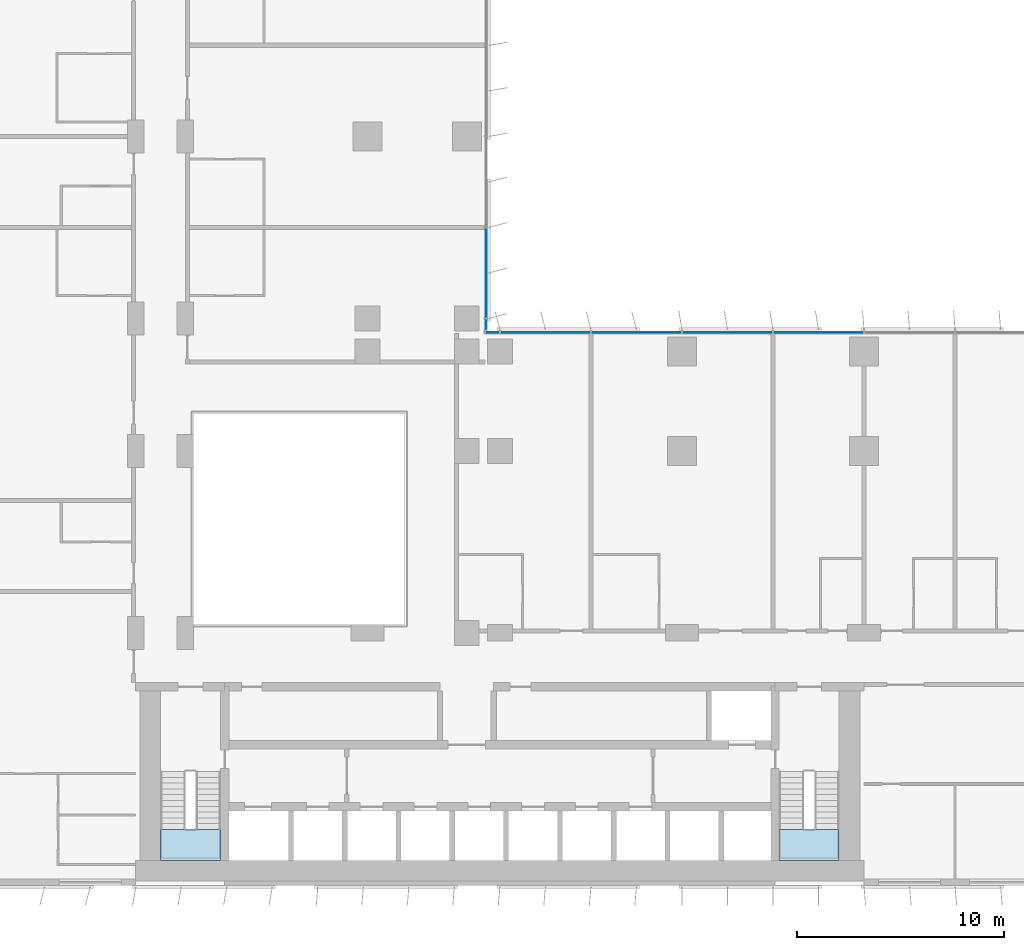
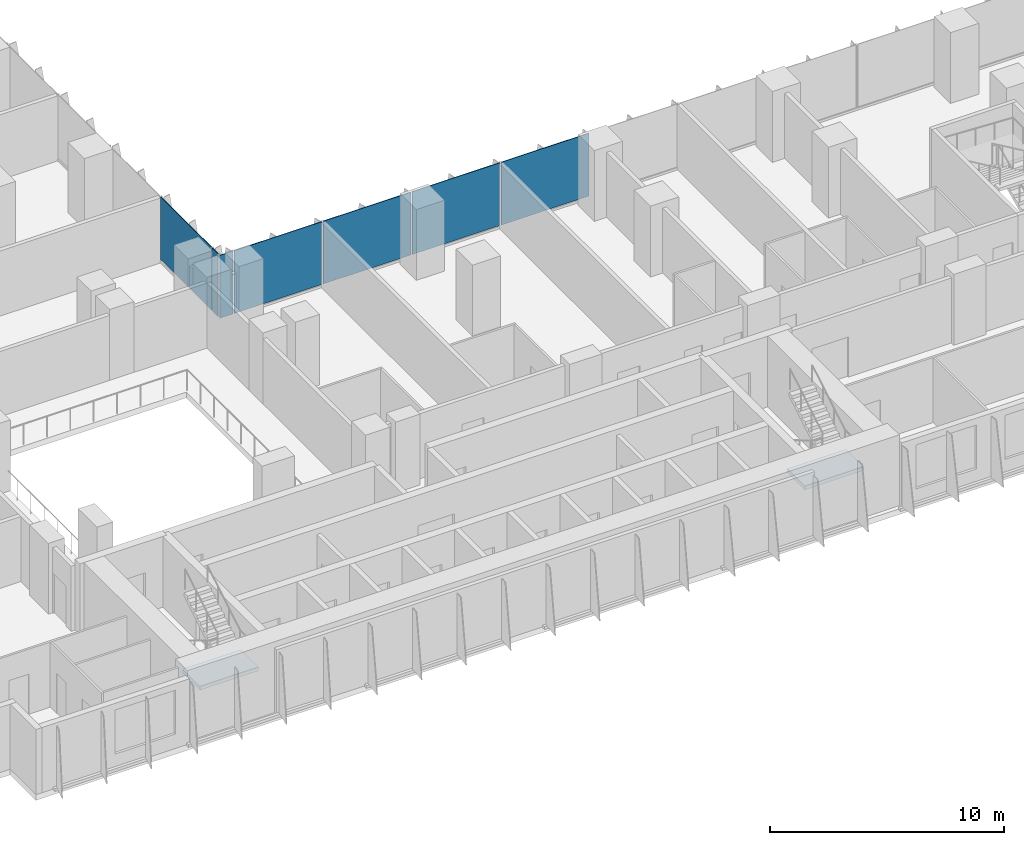
# One storey, part 10 of 24: 7 plates, 2 slabs, 4 elements without a shape of their own.
"""IFC4 building model written with IfcOpenShell, lengths in metres."""

from ifc_helpers import new_model, si_unit, direction, frame, origin, origin_2d, place, context, subcontext, project, spatial, polyline, rectangle, outline, extrude, source, transform, mapped, material, layer, layer_set, type_object, element, aggregate, save


model = new_model("IFC4")

# Units and contexts
model_context = context("Model", 3, precision=1e-05, world=origin(), true_north=direction((0.0, 1.0)))
body_context = subcontext(model_context, "Body", "Model", "MODEL_VIEW")
ifc_project = project(units=[si_unit("LENGTHUNIT", "METRE"), si_unit("AREAUNIT", "SQUARE_METRE"), si_unit("VOLUMEUNIT", "CUBIC_METRE"), si_unit("PLANEANGLEUNIT", "RADIAN"), si_unit("MASSUNIT", "GRAM", prefix="KILO")], contexts=[model_context])

# Site, building, storey
site_placement = place(None, origin())
site = spatial("IfcSite", under=ifc_project, at=site_placement, CompositionType="ELEMENT")
building_placement = place(site_placement, origin())
building = spatial("IfcBuilding", under=site, at=building_placement, Name="Kemantara Hotel Tower", CompositionType="ELEMENT")
storey_placement = place(building_placement, frame((0.0, 0.0, 52.5)))
storey = spatial("IfcBuildingStorey", under=building, at=storey_placement, Name="L11", CompositionType="ELEMENT", Elevation=52.5)

# Stair, slab
ifc_material_1 = material(Name="Concrete fc 40 MPa", Category="concrete")
stair_type = type_object("IfcStairType", Name="Stair 1200 wide 22 risers of 168 x 280 mm", PredefinedType="HALF_TURN_STAIR", material=ifc_material_1)
stair_1_placement = place(storey_placement, origin())
stair_1 = element("IfcStair", 1, at=stair_1_placement, inside=storey, type_object=stair_type, Name="L11 Exit stair ST1", PredefinedType="HALF_TURN_STAIR")
ifc_layer_1 = layer(ifc_material_1, 0.199951171875)
ifc_layer_set_1 = layer_set([ifc_layer_1], Name="Concrete fc 40 MPa")
slab_type = type_object("IfcSlabType", Name="Stair landing 200 mm", PredefinedType="LANDING", material=ifc_layer_set_1)
slab_1_placement = place(storey_placement, frame((0.0, 0.0, 1.64990234375)))
slab_1 = element("IfcSlab", 2, at=slab_1_placement, type_object=slab_type, Name="ST1 landing 1", PredefinedType="LANDING", context=body_context, shape_type="SweptSolid", body=[
    extrude(outline(polyline([(11.0, 2.699951171875), (11.0, 1.199951171875), (13.89990234375, 1.199951171875), (13.89990234375, 2.699951171875), (11.0, 2.699951171875)])), origin(), (0.0, 0.0, 1.0), 0.2001953125),
])
aggregate(stair_1, [slab_1])

stair_2_placement = place(storey_placement, origin())
stair_2 = element("IfcStair", 3, at=stair_2_placement, inside=storey, type_object=stair_type, Name="L11 Exit stair ST2", PredefinedType="HALF_TURN_STAIR")
slab_2_placement = place(storey_placement, frame((0.0, 0.0, 1.64990234375)))
slab_2 = element("IfcSlab", 4, at=slab_2_placement, type_object=slab_type, Name="ST2 landing 1", PredefinedType="LANDING", context=body_context, shape_type="SweptSolid", body=[
    extrude(outline(polyline([(40.89990234375, 2.699951171875), (40.89990234375, 1.199951171875), (43.800048828125, 1.199951171875), (43.800048828125, 2.699951171875), (40.89990234375, 2.699951171875)])), origin(), (0.0, 0.0, 1.0), 0.2001953125),
])
aggregate(stair_2, [slab_2])

# Curtain wall, plates
ifc_material_2 = material(Name="Low-E tinted double insulated glass 36 mm", Category="glass")
curtain_wall_type = type_object("IfcCurtainWallType", Name="TOWER CURTAIN WALL, FRONT FACES", PredefinedType="USERDEFINED", material=ifc_material_2)
curtain_wall_1_placement = place(storey_placement, origin())
curtain_wall_1 = element("IfcCurtainWall", 5, at=curtain_wall_1_placement, inside=storey, type_object=curtain_wall_type, Name="CW4 L11 T1-R07-1", ObjectType="TOWER CURTAIN WALL, FRONT FACES", PredefinedType="USERDEFINED")
ifc_layer_2 = layer(ifc_material_2, 0.035888671875)
ifc_layer_set_2 = layer_set([ifc_layer_2], Name="Low-E tinted double insulated glass 36 mm")
plate_type = type_object("IfcPlateType", Name="TOWER CURTAIN WALL, FRONT FACES PANEL", PredefinedType="CURTAIN_PANEL", material=ifc_layer_set_2)
shared_shape_1 = source(origin(), body_context, "Body", "SweptSolid", [
    extrude(rectangle(XDim=4.340087890625, YDim=0.035888671875, at=origin_2d()), origin(), (0.0, 0.0, 1.0), 3.280029296875),
])
plate_1_placement = place(storey_placement, frame((42.800048828125, 26.72509765625, 0.1201171875), z_axis=(0.0, 0.0, 1.0), x_axis=(-1.0, 0.0, 0.0)))
plate_1 = element("IfcPlate", 6, at=plate_1_placement, type_object=plate_type, Name="CW4 glass panel T1-R07-1.9", PredefinedType="CURTAIN_PANEL", context=body_context, shape_type="MappedRepresentation", body=[
    mapped(shared_shape_1, transform((0.0, 0.0, 0.0))),
])
plate_2_placement = place(storey_placement, frame((38.39990234375, 26.72509765625, 0.1201171875), z_axis=(0.0, 0.0, 1.0), x_axis=(-1.0, 0.0, 0.0)))
plate_2 = element("IfcPlate", 7, at=plate_2_placement, type_object=plate_type, Name="CW4 glass panel T1-R07-1.10", PredefinedType="CURTAIN_PANEL", context=body_context, shape_type="MappedRepresentation", body=[
    mapped(shared_shape_1, transform((0.0, 0.0, 0.0))),
])
plate_3_placement = place(storey_placement, frame((34.0, 26.72509765625, 0.1201171875), z_axis=(0.0, 0.0, 1.0), x_axis=(-1.0, 0.0, 0.0)))
plate_3 = element("IfcPlate", 8, at=plate_3_placement, type_object=plate_type, Name="CW4 glass panel T1-R07-1.11", PredefinedType="CURTAIN_PANEL", context=body_context, shape_type="MappedRepresentation", body=[
    mapped(shared_shape_1, transform((0.0, 0.0, 0.0))),
])
plate_4_placement = place(storey_placement, frame((29.60009765625, 26.72509765625, 0.1201171875), z_axis=(0.0, 0.0, 1.0), x_axis=(-1.0, 0.0, 0.0)))
plate_4 = element("IfcPlate", 9, at=plate_4_placement, type_object=plate_type, Name="CW4 glass panel T1-R07-1.12", PredefinedType="CURTAIN_PANEL", context=body_context, shape_type="MappedRepresentation", body=[
    mapped(shared_shape_1, transform((0.0, 0.0, 0.0))),
])

# Curtain wall, plate
curtain_wall_2_placement = place(storey_placement, origin())
curtain_wall_2 = element("IfcCurtainWall", 10, at=curtain_wall_2_placement, inside=storey, type_object=curtain_wall_type, Name="CW4 L11 T1-R08-1", ObjectType="TOWER CURTAIN WALL, FRONT FACES", PredefinedType="USERDEFINED")
plate_5_placement = place(storey_placement, frame((26.72509765625, 29.60009765625, 0.1201171875), z_axis=(0.0, 0.0, 1.0), x_axis=(0.0, 1.0, 0.0)))
plate_5 = element("IfcPlate", 11, at=plate_5_placement, type_object=plate_type, Name="CW4 glass panel T1-R08-1.2", PredefinedType="CURTAIN_PANEL", context=body_context, shape_type="MappedRepresentation", body=[
    mapped(shared_shape_1, transform((0.0, 0.0, 0.0))),
])

# Plate
shared_shape_2 = source(origin(), body_context, "Body", "SweptSolid", [
    extrude(rectangle(XDim=0.659912109375, YDim=0.035888671875, at=origin_2d()), origin(), (0.0, 0.0, 1.0), 3.280029296875),
])
plate_6_placement = place(storey_placement, frame((27.0400390625, 26.72509765625, 0.1201171875), z_axis=(0.0, 0.0, 1.0), x_axis=(-1.0, 0.0, 0.0)))
plate_6 = element("IfcPlate", 12, at=plate_6_placement, type_object=plate_type, Name="CW4 glass panel T1-R07-1.13", PredefinedType="CURTAIN_PANEL", context=body_context, shape_type="MappedRepresentation", body=[
    mapped(shared_shape_2, transform((0.0, 0.0, 0.0))),
])

aggregate(curtain_wall_1, [plate_1, plate_2, plate_3, plate_4, plate_6])

shared_shape_3 = source(origin(), body_context, "Body", "SweptSolid", [
    extrude(rectangle(XDim=0.510009765625, YDim=0.035888671875, at=origin_2d()), origin(), (0.0, 0.0, 1.0), 3.280029296875),
])
plate_7_placement = place(storey_placement, frame((26.72509765625, 27.114990234375, 0.1201171875), z_axis=(0.0, 0.0, 1.0), x_axis=(0.0, 1.0, 0.0)))
plate_7 = element("IfcPlate", 13, at=plate_7_placement, type_object=plate_type, Name="CW4 glass panel T1-R08-1.1", PredefinedType="CURTAIN_PANEL", context=body_context, shape_type="MappedRepresentation", body=[
    mapped(shared_shape_3, transform((0.0, 0.0, 0.0))),
])

aggregate(curtain_wall_2, [plate_7, plate_5])

save(model, "model.ifc")
